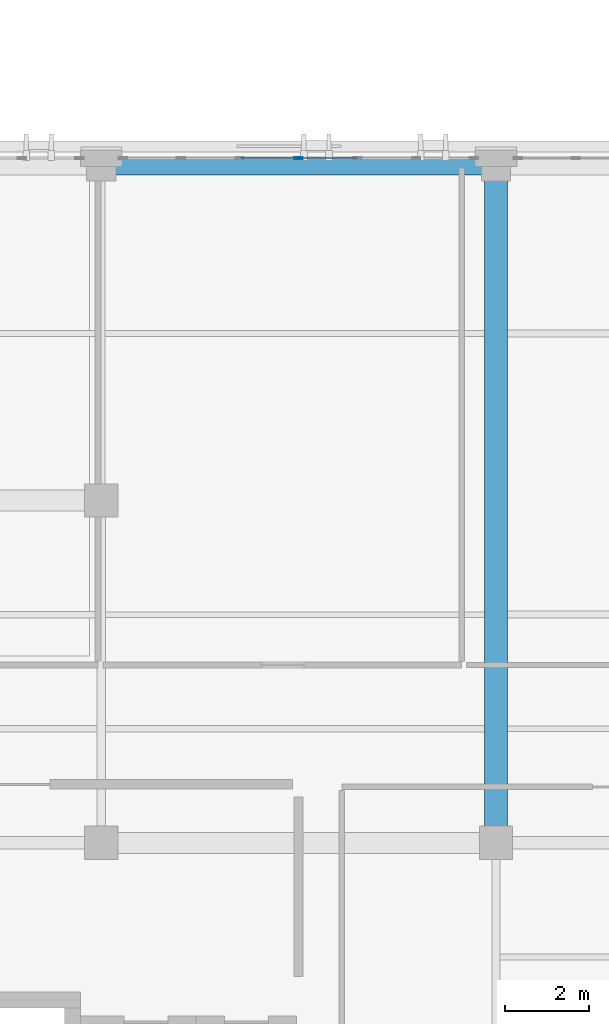
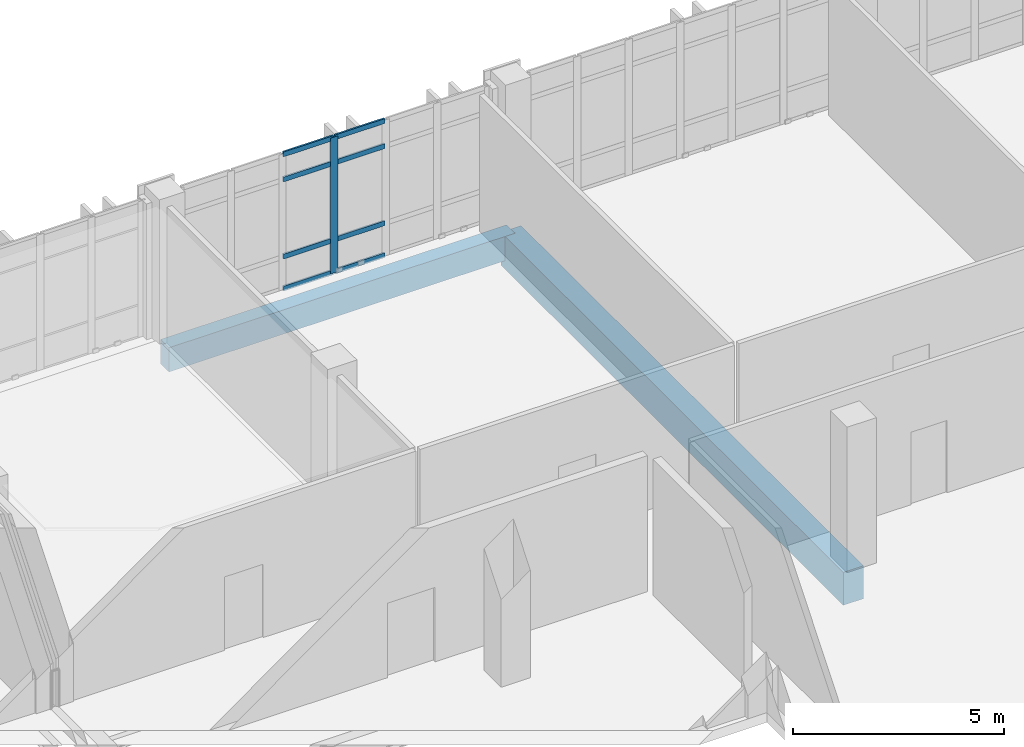
# One storey, part 25 of 158: 9 members, 2 beams, 1 element without a shape of its own.
"""IFC4 building model written with IfcOpenShell, lengths in metres."""

import ifcopenshell
import ifcopenshell.guid

model = None  # the IFC model being written
_history = None  # IfcOwnerHistory: only IFC2X3 demands one
_inside = {}  # id of a spatial element -> (the spatial element, [elements in it])
_under = {}  # id of a project, library or spatial element -> (it, [spatial elements below it])
_declared = {}  # id of a project -> (the project, [libraries it declares])
_typed = {}  # id of a type object -> (the type object, [elements of that type])
_made_of = {}  # id of a material, layer set ... -> (it, [elements and type objects made of it])


def new_model(schema):
    """Start an empty IFC model of exactly this schema.

    Asked for "IFC4X3", IfcOpenShell would pick the latest addendum, in which some entities
    have other attributes; the version numbers below select the first issue.
    IFC2X3 requires an IfcOwnerHistory on every rooted entity: one is made here for all.
    """
    global model, _history
    if schema == "IFC4X3":
        model = ifcopenshell.file(schema_version=(4, 3, 0, 0))
    else:
        model = ifcopenshell.file(schema=schema)
    _inside.clear()
    _under.clear()
    _declared.clear()
    _typed.clear()
    _made_of.clear()
    _history = None
    if model.schema == "IFC2X3":
        org = make("IfcOrganization", Name="unknown")
        user = make(
            "IfcPersonAndOrganization",
            ThePerson=make("IfcPerson", FamilyName="unknown"),
            TheOrganization=org,
        )
        app = make(
            "IfcApplication",
            ApplicationDeveloper=org,
            Version="unknown",
            ApplicationFullName="unknown",
            ApplicationIdentifier="unknown",
        )
        _history = make(
            "IfcOwnerHistory",
            OwningUser=user,
            OwningApplication=app,
            ChangeAction="ADDED",
            CreationDate=0,
        )
    return model


def make(cls, **values):
    """One entity of the class cls with the attributes given. An attribute that is None is left unset."""
    return model.create_entity(
        cls, **{name: value for name, value in values.items() if value is not None}
    )


def rooted(cls, **values):
    """An entity with a GlobalId (a new one), such as an element, a storey or a relation."""
    return make(cls, GlobalId=ifcopenshell.guid.new(), OwnerHistory=_history, **values)


def si_unit(unit_type, name, prefix=None):
    """IfcSIUnit, for example si_unit("LENGTHUNIT", "METRE", prefix="MILLI")."""
    return make("IfcSIUnit", UnitType=unit_type, Prefix=prefix, Name=name)


def assignment(units):
    """IfcUnitAssignment: the units of a project."""
    return None if units is None else make("IfcUnitAssignment", Units=units)


def point(xyz):
    """IfcCartesianPoint."""
    return None if xyz is None else make("IfcCartesianPoint", Coordinates=xyz)


def direction(xyz):
    """IfcDirection."""
    return None if xyz is None else make("IfcDirection", DirectionRatios=xyz)


def frame(location, z_axis=None, x_axis=None):
    """IfcAxis2Placement3D, a coordinate frame: its origin and axes. An axis left out is left unset."""
    return make(
        "IfcAxis2Placement3D",
        Location=point(location),
        Axis=direction(z_axis),
        RefDirection=direction(x_axis),
    )


def frame_2d(location, x_axis=None):
    """IfcAxis2Placement2D, a coordinate frame in the plane: its origin and x axis."""
    return make(
        "IfcAxis2Placement2D", Location=point(location), RefDirection=direction(x_axis)
    )


def origin():
    """The frame at (0, 0, 0) with its axes left unset."""
    return frame((0.0, 0.0, 0.0))


def origin_2d():
    """The frame at (0, 0) in the plane with its x axis left unset."""
    return frame_2d((0.0, 0.0))


def place(relative_to, where):
    """IfcLocalPlacement: puts the frame where relative to a parent placement (None: the world)."""
    return make(
        "IfcLocalPlacement", PlacementRelTo=relative_to, RelativePlacement=where
    )


def context(
    kind, dimensions, precision=None, world=None, true_north=None, identifier=None
):
    """IfcGeometricRepresentationContext, for example the 3D "Model" context."""
    return make(
        "IfcGeometricRepresentationContext",
        ContextIdentifier=identifier,
        ContextType=kind,
        CoordinateSpaceDimension=dimensions,
        Precision=precision,
        WorldCoordinateSystem=world,
        TrueNorth=true_north,
    )


def subcontext(parent, identifier, kind, view, scale=None):
    """IfcGeometricRepresentationSubContext, for example "Body" below "Model"."""
    return make(
        "IfcGeometricRepresentationSubContext",
        ContextIdentifier=identifier,
        ContextType=kind,
        ParentContext=parent,
        TargetScale=scale,
        TargetView=view,
    )


def project(units=None, contexts=None):
    """IfcProject with its units and contexts."""
    return rooted(
        "IfcProject",
        Name="project",
        RepresentationContexts=contexts,
        UnitsInContext=assignment(units),
    )


def spatial(cls, under=None, at=None, **own):
    """A site, building, storey or space (cls), placed at a placement, below another one or the project."""
    s = rooted(cls, ObjectPlacement=at, **own)
    if under is not None:
        _under.setdefault(under.id(), (under, []))[1].append(s)
    return s


def profile(cls, at=None, kind="AREA", **sizes):
    """A parametric profile (cls). Its sizes go by their IFC names, for example OverallWidth=200.0."""
    return make(cls, ProfileType=kind, Position=at, **sizes)


def rectangle(**sizes):
    """IfcRectangleProfileDef."""
    return profile("IfcRectangleProfileDef", **sizes)


def hollow_rectangle(**sizes):
    """IfcRectangleHollowProfileDef."""
    return profile("IfcRectangleHollowProfileDef", **sizes)


def extrude(swept, where, along, depth):
    """IfcExtrudedAreaSolid: the profile swept, set in the frame where, extruded along a direction by depth."""
    return make(
        "IfcExtrudedAreaSolid",
        SweptArea=swept,
        Position=where,
        ExtrudedDirection=direction(along),
        Depth=depth,
    )


def shape(context_of_items, identifier, shape_type, items):
    """IfcShapeRepresentation: the items that make up one representation, for example the "Body"."""
    return make(
        "IfcShapeRepresentation",
        ContextOfItems=context_of_items,
        RepresentationIdentifier=identifier,
        RepresentationType=shape_type,
        Items=items,
    )


def material(Name=None, Category=None):
    """IfcMaterial."""
    return make("IfcMaterial", Name=Name, Category=Category)


def layer(
    of_material, thickness, ventilated=None, Name=None, Category=None, Priority=None
):
    """IfcMaterialLayer: one layer of a wall or slab, of a material (None: an air gap)."""
    return make(
        "IfcMaterialLayer",
        Material=of_material,
        LayerThickness=thickness,
        IsVentilated=ventilated,
        Name=Name,
        Category=Category,
        Priority=Priority,
    )


def layer_set(layers, Name=None):
    """IfcMaterialLayerSet."""
    return make("IfcMaterialLayerSet", MaterialLayers=layers, LayerSetName=Name)


def material_profile(
    of_material, cross_section, Name=None, Category=None, Priority=None
):
    """IfcMaterialProfile: a cross section and its material."""
    return make(
        "IfcMaterialProfile",
        Name=Name,
        Material=of_material,
        Profile=cross_section,
        Priority=Priority,
        Category=Category,
    )


def profile_set(profiles, Name=None, composite=None):
    """IfcMaterialProfileSet."""
    return make(
        "IfcMaterialProfileSet",
        Name=Name,
        MaterialProfiles=profiles,
        CompositeProfile=composite,
    )


def made_of(thing, what):
    """Note that an element or type object is made of a material, layer set ...; save() writes the relation."""
    if what is not None:
        _made_of.setdefault(what.id(), (what, []))[1].append(thing)
    return thing


def type_object(cls, material=None, **own):
    """A type object (cls), such as IfcWallType, which elements share."""
    return made_of(rooted(cls, **own), material)


def element(
    cls,
    number,
    at=None,
    inside=None,
    cuts=None,
    type_object=None,
    material=None,
    context=None,
    identifier="Body",
    shape_type=None,
    held_by="IfcProductDefinitionShape",
    body=None,
    shapes=None,
    **own,
):
    """One element of the class cls, such as IfcWall. Its Tag is "e" and its number.

    at: its placement. inside: the storey or other place that contains it. cuts: it is an
    opening in that element (IfcRelVoidsElement). A single representation is given by context,
    identifier, shape_type and body (its items); several are given by shapes. held_by: the class
    of the entity that holds the representations. save() writes the other relations.
    """
    e = rooted(cls, Tag="e%d" % number, ObjectPlacement=at, **own)
    if body is not None:
        shapes = [shape(context, identifier, shape_type, body)]
    if shapes is not None:
        e.Representation = make(held_by, Representations=shapes)
    if inside is not None:
        _inside.setdefault(inside.id(), (inside, []))[1].append(e)
    if cuts is not None:
        rooted(
            "IfcRelVoidsElement", RelatingBuildingElement=cuts, RelatedOpeningElement=e
        )
    if type_object is not None:
        _typed.setdefault(type_object.id(), (type_object, []))[1].append(e)
    return made_of(e, material)


def aggregate(whole, parts):
    """IfcRelAggregates: a whole, such as a stair, and the parts it consists of."""
    return rooted("IfcRelAggregates", RelatingObject=whole, RelatedObjects=parts)


def save(model, path):
    """Write the relations noted so far, then the file.

    IfcRelAggregates (storeys below a building ...), IfcRelContainedInSpatialStructure (elements
    in a storey), IfcRelDefinesByType, IfcRelAssociatesMaterial and IfcRelDeclares: one each for
    every whole, place, type object, material and project.
    """
    for whole, parts in _under.values():
        aggregate(whole, parts)
    for where, things in _inside.values():
        rooted(
            "IfcRelContainedInSpatialStructure",
            RelatedElements=things,
            RelatingStructure=where,
        )
    for kind, things in _typed.values():
        rooted("IfcRelDefinesByType", RelatedObjects=things, RelatingType=kind)
    for what, things in _made_of.values():
        rooted("IfcRelAssociatesMaterial", RelatedObjects=things, RelatingMaterial=what)
    for by, libraries in _declared.values():
        rooted("IfcRelDeclares", RelatingContext=by, RelatedDefinitions=libraries)
    model.write(path)


model = new_model("IFC4")

# Units and contexts
model_context = context("Model", 3, precision=1e-05, world=origin(), true_north=direction((0.0, 1.0)))
body_context = subcontext(model_context, "Body", "Model", "MODEL_VIEW")
ifc_project = project(units=[si_unit("LENGTHUNIT", "METRE"), si_unit("AREAUNIT", "SQUARE_METRE"), si_unit("VOLUMEUNIT", "CUBIC_METRE"), si_unit("PLANEANGLEUNIT", "RADIAN"), si_unit("MASSUNIT", "GRAM", prefix="KILO")], contexts=[model_context])

# Site, building, storey
site_placement = place(None, origin())
site = spatial("IfcSite", under=ifc_project, at=site_placement, CompositionType="ELEMENT")
building_placement = place(site_placement, origin())
building = spatial("IfcBuilding", under=site, at=building_placement, Name="Qalavern Law Courts", CompositionType="ELEMENT")
storey_placement = place(building_placement, frame((0.0, 0.0, 18.60009765625)))
storey = spatial("IfcBuildingStorey", under=building, at=storey_placement, Name="L04", CompositionType="ELEMENT", Elevation=18.60009765625)

# Curtain wall, members
ifc_material_1 = material(Name="Anodised aluminium and insulated glazing", Category="aluminium")
ifc_layer = layer(ifc_material_1, 0.18505859375)
ifc_layer_set = layer_set([ifc_layer], Name="Anodised aluminium and insulated glazing")
curtain_wall_type = type_object("IfcCurtainWallType", Name="ENV-CW-HALL", PredefinedType="USERDEFINED", material=ifc_layer_set)
curtain_wall_placement = place(storey_placement, origin())
curtain_wall = element("IfcCurtainWall", 1, at=curtain_wall_placement, inside=storey, type_object=curtain_wall_type, Name="V2 unitised curtain wall L04 north 6", ObjectType="UNITISED CURTAIN WALL", PredefinedType="USERDEFINED")
ifc_material_2 = material(Name="Anodised aluminium", Category="aluminium")
ifc_material_profile_1 = material_profile(ifc_material_2, hollow_rectangle(XDim=0.048095703125, YDim=0.199951171875, WallThickness=0.00439453125, at=origin_2d()), Name="ALU MULLION 48x200")
ifc_profile_set_1 = profile_set([ifc_material_profile_1], Name="Anodised aluminium")
member_type_1 = type_object("IfcMemberType", Name="ENV-CWM-48x200", PredefinedType="MULLION", material=ifc_profile_set_1)
member_1_placement = place(storey_placement, frame((48.801513671875, 30.199951171875, 0.0), z_axis=(0.0, 0.0, 1.0), x_axis=(0.0, -1.0, 0.0)))
member_1 = element("IfcMember", 2, at=member_1_placement, type_object=member_type_1, Name="CW-02 mullion 4", PredefinedType="MULLION", context=body_context, shape_type="SweptSolid", body=[
    extrude(hollow_rectangle(XDim=0.048095703125, YDim=0.199951171875, WallThickness=0.00439453125, at=origin_2d()), origin(), (0.0, 0.0, 1.0), 3.9248046875),
])
ifc_material_profile_2 = material_profile(ifc_material_2, hollow_rectangle(XDim=0.048095703125, YDim=0.139892578125, WallThickness=0.00390625, at=origin_2d()), Name="ALU TRANSOM 48x140")
ifc_profile_set_2 = profile_set([ifc_material_profile_2], Name="Anodised aluminium")
member_type_2 = type_object("IfcMemberType", Name="ENV-CWT-48x140", PredefinedType="USERDEFINED", material=ifc_profile_set_2)
member_2_placement = place(storey_placement, frame((50.1865234375, 30.199951171875, 0.02392578125), z_axis=(-1.0, 0.0, 0.0), x_axis=(0.0, -1.0, 0.0)))
member_2 = element("IfcMember", 3, at=member_2_placement, type_object=member_type_2, Name="CW-02 transom 3.1", ObjectType="TRANSOM", PredefinedType="USERDEFINED", context=body_context, shape_type="SweptSolid", body=[
    extrude(hollow_rectangle(XDim=0.048095703125, YDim=0.139892578125, WallThickness=0.00390625, at=origin_2d()), origin(), (0.0, 0.0, 1.0), 1.361083984375),
])
member_3_placement = place(storey_placement, frame((50.1865234375, 30.199951171875, 0.949951171875), z_axis=(-1.0, 0.0, 0.0), x_axis=(0.0, -1.0, 0.0)))
member_3 = element("IfcMember", 4, at=member_3_placement, type_object=member_type_2, Name="CW-02 transom 3.2", ObjectType="TRANSOM", PredefinedType="USERDEFINED", context=body_context, shape_type="SweptSolid", body=[
    extrude(hollow_rectangle(XDim=0.048095703125, YDim=0.139892578125, WallThickness=0.00390625, at=origin_2d()), origin(), (0.0, 0.0, 1.0), 1.361083984375),
])
member_4_placement = place(storey_placement, frame((50.1865234375, 30.199951171875, 3.1748046875), z_axis=(-1.0, 0.0, 0.0), x_axis=(0.0, -1.0, 0.0)))
member_4 = element("IfcMember", 5, at=member_4_placement, type_object=member_type_2, Name="CW-02 transom 3.3", ObjectType="TRANSOM", PredefinedType="USERDEFINED", context=body_context, shape_type="SweptSolid", body=[
    extrude(hollow_rectangle(XDim=0.048095703125, YDim=0.139892578125, WallThickness=0.00390625, at=origin_2d()), origin(), (0.0, 0.0, 1.0), 1.361083984375),
])
member_5_placement = place(storey_placement, frame((50.1865234375, 30.199951171875, 3.90087890625), z_axis=(-1.0, 0.0, 0.0), x_axis=(0.0, -1.0, 0.0)))
member_5 = element("IfcMember", 6, at=member_5_placement, type_object=member_type_2, Name="CW-02 transom 3.4", ObjectType="TRANSOM", PredefinedType="USERDEFINED", context=body_context, shape_type="SweptSolid", body=[
    extrude(hollow_rectangle(XDim=0.048095703125, YDim=0.139892578125, WallThickness=0.00390625, at=origin_2d()), origin(), (0.0, 0.0, 1.0), 1.361083984375),
])
member_6_placement = place(storey_placement, frame((48.77734375, 30.199951171875, 0.02392578125), z_axis=(-1.0, 0.0, 0.0), x_axis=(0.0, -1.0, 0.0)))
member_6 = element("IfcMember", 7, at=member_6_placement, type_object=member_type_2, Name="CW-02 transom 4.1", ObjectType="TRANSOM", PredefinedType="USERDEFINED", context=body_context, shape_type="SweptSolid", body=[
    extrude(hollow_rectangle(XDim=0.048095703125, YDim=0.139892578125, WallThickness=0.00390625, at=origin_2d()), origin(), (0.0, 0.0, 1.0), 1.36083984375),
])
member_7_placement = place(storey_placement, frame((48.77734375, 30.199951171875, 0.949951171875), z_axis=(-1.0, 0.0, 0.0), x_axis=(0.0, -1.0, 0.0)))
member_7 = element("IfcMember", 8, at=member_7_placement, type_object=member_type_2, Name="CW-02 transom 4.2", ObjectType="TRANSOM", PredefinedType="USERDEFINED", context=body_context, shape_type="SweptSolid", body=[
    extrude(hollow_rectangle(XDim=0.048095703125, YDim=0.139892578125, WallThickness=0.00390625, at=origin_2d()), origin(), (0.0, 0.0, 1.0), 1.36083984375),
])
member_8_placement = place(storey_placement, frame((48.77734375, 30.199951171875, 3.1748046875), z_axis=(-1.0, 0.0, 0.0), x_axis=(0.0, -1.0, 0.0)))
member_8 = element("IfcMember", 9, at=member_8_placement, type_object=member_type_2, Name="CW-02 transom 4.3", ObjectType="TRANSOM", PredefinedType="USERDEFINED", context=body_context, shape_type="SweptSolid", body=[
    extrude(hollow_rectangle(XDim=0.048095703125, YDim=0.139892578125, WallThickness=0.00390625, at=origin_2d()), origin(), (0.0, 0.0, 1.0), 1.36083984375),
])
member_9_placement = place(storey_placement, frame((48.77734375, 30.199951171875, 3.90087890625), z_axis=(-1.0, 0.0, 0.0), x_axis=(0.0, -1.0, 0.0)))
member_9 = element("IfcMember", 10, at=member_9_placement, type_object=member_type_2, Name="CW-02 transom 4.4", ObjectType="TRANSOM", PredefinedType="USERDEFINED", context=body_context, shape_type="SweptSolid", body=[
    extrude(hollow_rectangle(XDim=0.048095703125, YDim=0.139892578125, WallThickness=0.00390625, at=origin_2d()), origin(), (0.0, 0.0, 1.0), 1.36083984375),
])
aggregate(curtain_wall, [member_1, member_2, member_3, member_4, member_5, member_6, member_7, member_8, member_9])

# Beams
ifc_material_3 = material(Name="Concrete C40/50", Category="concrete")
ifc_material_profile_3 = material_profile(ifc_material_3, rectangle(XDim=0.550048828125, YDim=0.949951171875, at=origin_2d()), Name="RC 550x950")
ifc_profile_set_3 = profile_set([ifc_material_profile_3], Name="Concrete C40/50")
beam_type_1 = type_object("IfcBeamType", Name="STR-BM-RC550x950", PredefinedType="BEAM", material=ifc_profile_set_3)
beam_1_placement = place(storey_placement, frame((53.528564453125, 13.800048828125, -0.755126953125), z_axis=(0.0, 1.0, 0.0), x_axis=(-1.0, 0.0, 0.0)))
element("IfcBeam", 11, at=beam_1_placement, inside=storey, type_object=beam_type_1, Name="V2 Y-beam 3-2 L04", PredefinedType="BEAM", context=body_context, shape_type="SweptSolid", body=[
    extrude(rectangle(XDim=0.550048828125, YDim=0.949951171875, at=origin_2d()), origin(), (0.0, 0.0, 1.0), 16.199951171875),
])
ifc_material_profile_4 = material_profile(ifc_material_3, rectangle(XDim=0.39990234375, YDim=0.699951171875, at=origin_2d()), Name="RC 400x700")
ifc_profile_set_4 = profile_set([ifc_material_profile_4], Name="Concrete C40/50")
beam_type_2 = type_object("IfcBeamType", Name="STR-SP-RC400x700", PredefinedType="SPANDREL", material=ifc_profile_set_4)
beam_2_placement = place(storey_placement, frame((44.07421875, 30.0, -0.630126953125), z_axis=(1.0, 0.0, 0.0), x_axis=(0.0, 1.0, 0.0)))
element("IfcBeam", 12, at=beam_2_placement, inside=storey, type_object=beam_type_2, Name="V2 X-beam 4-2 L04", PredefinedType="SPANDREL", context=body_context, shape_type="SweptSolid", body=[
    extrude(rectangle(XDim=0.39990234375, YDim=0.699951171875, at=origin_2d()), origin(), (0.0, 0.0, 1.0), 9.454345703125),
])

save(model, "model.ifc")
